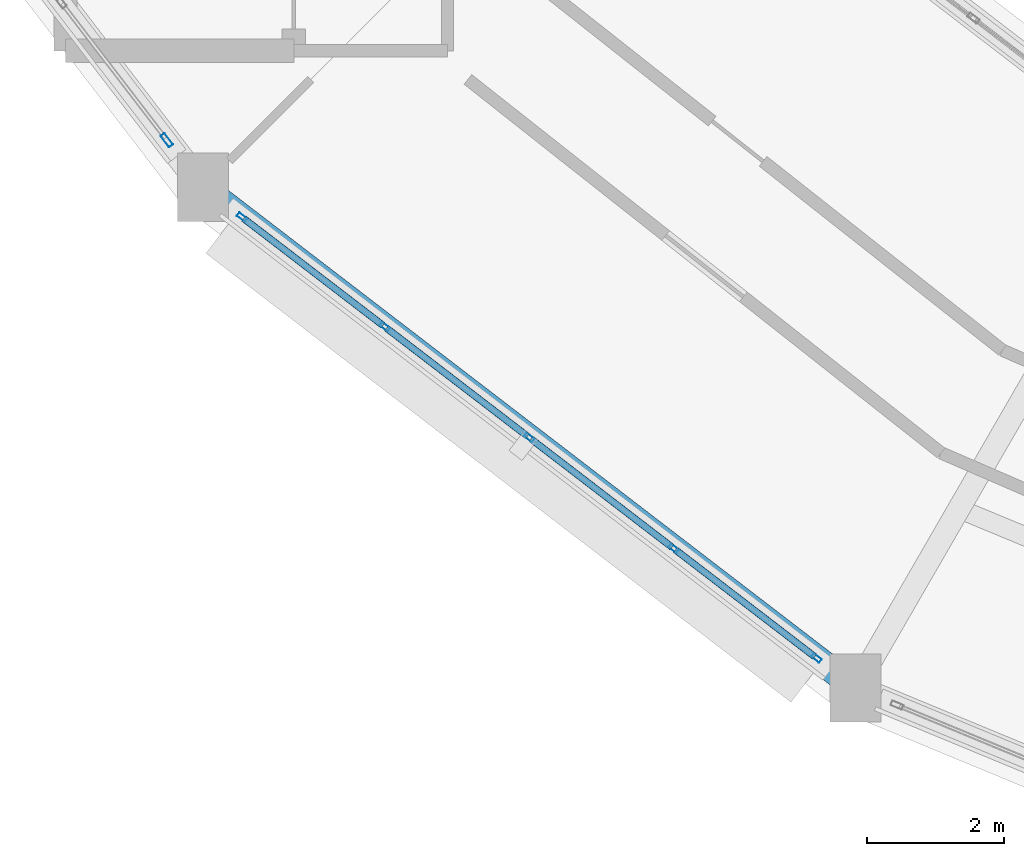
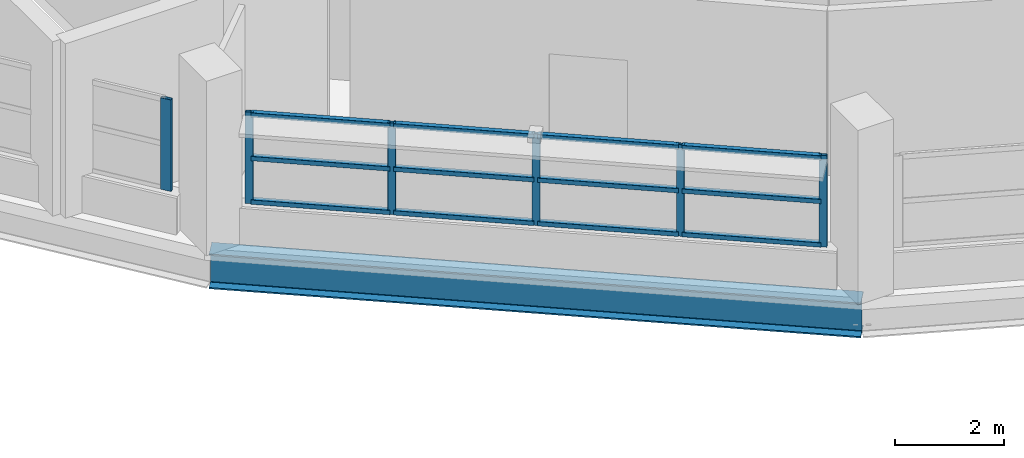
# One storey, part 5 of 53: 18 members, 1 beam, 2 elements without a shape of their own.
"""IFC4 building model written with IfcOpenShell, lengths in metres."""

from ifc_helpers import new_model, si_unit, direction, frame, origin, origin_2d, place, context, subcontext, project, spatial, hollow_rectangle, i_section, extrude, material, layer, layer_set, material_profile, profile_set, type_object, element, aggregate, save


model = new_model("IFC4")

# Units and contexts
model_context = context("Model", 3, precision=1e-05, world=origin(), true_north=direction((0.0, 1.0)))
body_context = subcontext(model_context, "Body", "Model", "MODEL_VIEW")
ifc_project = project(units=[si_unit("LENGTHUNIT", "METRE"), si_unit("AREAUNIT", "SQUARE_METRE"), si_unit("VOLUMEUNIT", "CUBIC_METRE"), si_unit("PLANEANGLEUNIT", "RADIAN"), si_unit("MASSUNIT", "GRAM", prefix="KILO")], contexts=[model_context])

# Site, building, storey
site_placement = place(None, origin())
site = spatial("IfcSite", under=ifc_project, at=site_placement, CompositionType="ELEMENT")
building_placement = place(site_placement, origin())
building = spatial("IfcBuilding", under=site, at=building_placement, Name="Vespera Passage Community Centre", CompositionType="ELEMENT")
storey_placement = place(building_placement, frame((0.0, 0.0, 20.39990234375)))
storey = spatial("IfcBuildingStorey", under=building, at=storey_placement, Name="L05", CompositionType="ELEMENT", Elevation=20.39990234375)

# Beam
ifc_material_1 = material(Name="Steel ASTM A992 Grade 50", Category="steel")
ifc_material_profile_1 = material_profile(ifc_material_1, i_section(OverallWidth=0.382080078125, OverallDepth=0.779296875, WebThickness=0.01806640625, FlangeThickness=0.030029296875, FilletRadius=0.0166015625, at=origin_2d()), Name="W30X191")
ifc_profile_set_1 = profile_set([ifc_material_profile_1], Name="Steel ASTM A992 Grade 50")
beam_type = type_object("IfcBeamType", Name="BM-SP-W30X191E", PredefinedType="SPANDREL", material=ifc_profile_set_1)
beam_placement = place(storey_placement, frame((45.40234375, 32.90234375, -0.649658203125), z_axis=(0.793351934501, -0.608763261066, 0.0), x_axis=(0.608763261066, 0.793351934501, 0.0)))
element("IfcBeam", 1, at=beam_placement, inside=storey, type_object=beam_type, Name="V4 L05 Outer Spandrel 15", PredefinedType="SPANDREL", context=body_context, shape_type="SweptSolid", body=[
    extrude(i_section(OverallWidth=0.382080078125, OverallDepth=0.779296875, WebThickness=0.01806640625, FlangeThickness=0.030029296875, FilletRadius=0.0166015625, at=origin_2d()), origin(), (0.0, 0.0, 1.0), 12.034423828125),
])

# Curtain wall, members
ifc_material_2 = material(Name="Anodized aluminium 6063-T6", Category="aluminium")
ifc_layer_1 = layer(ifc_material_2, 0.159912109375)
ifc_layer_set_1 = layer_set([ifc_layer_1], Name="Anodized aluminium 6063-T6")
curtain_wall_type_1 = type_object("IfcCurtainWallType", Name="CW-69E", PredefinedType="NOTDEFINED", material=ifc_layer_set_1)
curtain_wall_1_placement = place(storey_placement, origin())
curtain_wall_1 = element("IfcCurtainWall", 2, at=curtain_wall_1_placement, inside=storey, type_object=curtain_wall_type_1, Name="V4 L05 Outer Ribbon Curtain Wall 15", PredefinedType="NOTDEFINED")
ifc_material_3 = material(Name="Anodized aluminium 6063-T6", Category="aluminium")
ifc_material_profile_2 = material_profile(ifc_material_3, hollow_rectangle(XDim=0.06494140625, YDim=0.14990234375, WallThickness=0.00390625, InnerFilletRadius=0.001953125, OuterFilletRadius=0.00390625, at=origin_2d()), Name="ALU150X65X4")
ifc_profile_set_2 = profile_set([ifc_material_profile_2], Name="Anodized aluminium 6063-T6")
member_type_1 = type_object("IfcMemberType", Name="MB-CWM-150E", PredefinedType="MULLION", material=ifc_profile_set_2)
member_1_placement = place(storey_placement, frame((54.378662109375, 26.0146484375, 0.820068359375), z_axis=(0.0, 0.0, 1.0), x_axis=(-0.608771824991, -0.793345363065, 0.0)))
member_1 = element("IfcMember", 3, at=member_1_placement, type_object=member_type_1, Name="CW-69E mullion 1", PredefinedType="MULLION", context=body_context, shape_type="SweptSolid", body=[
    extrude(hollow_rectangle(XDim=0.06494140625, YDim=0.14990234375, WallThickness=0.00390625, InnerFilletRadius=0.001953125, OuterFilletRadius=0.00390625, at=origin_2d()), origin(), (0.0, 0.0, 1.0), 2.0458984375),
])
member_2_placement = place(storey_placement, frame((52.290283203125, 27.616943359375, 0.820068359375), z_axis=(0.0, 0.0, 1.0), x_axis=(-0.608771824991, -0.793345363065, 0.0)))
member_2 = element("IfcMember", 4, at=member_2_placement, type_object=member_type_1, Name="CW-69E mullion 2", PredefinedType="MULLION", context=body_context, shape_type="SweptSolid", body=[
    extrude(hollow_rectangle(XDim=0.06494140625, YDim=0.14990234375, WallThickness=0.00390625, InnerFilletRadius=0.001953125, OuterFilletRadius=0.00390625, at=origin_2d()), origin(), (0.0, 0.0, 1.0), 2.0458984375),
])
member_3_placement = place(storey_placement, frame((50.17626953125, 29.2392578125, 0.820068359375), z_axis=(0.0, 0.0, 1.0), x_axis=(-0.608771824991, -0.793345363065, 0.0)))
member_3 = element("IfcMember", 5, at=member_3_placement, type_object=member_type_1, Name="CW-69E mullion 3", PredefinedType="MULLION", context=body_context, shape_type="SweptSolid", body=[
    extrude(hollow_rectangle(XDim=0.06494140625, YDim=0.14990234375, WallThickness=0.00390625, InnerFilletRadius=0.001953125, OuterFilletRadius=0.00390625, at=origin_2d()), origin(), (0.0, 0.0, 1.0), 2.0458984375),
])
member_4_placement = place(storey_placement, frame((48.06201171875, 30.861572265625, 0.820068359375), z_axis=(0.0, 0.0, 1.0), x_axis=(-0.608771824991, -0.793345363065, 0.0)))
member_4 = element("IfcMember", 6, at=member_4_placement, type_object=member_type_1, Name="CW-69E mullion 4", PredefinedType="MULLION", context=body_context, shape_type="SweptSolid", body=[
    extrude(hollow_rectangle(XDim=0.06494140625, YDim=0.14990234375, WallThickness=0.00390625, InnerFilletRadius=0.001953125, OuterFilletRadius=0.00390625, at=origin_2d()), origin(), (0.0, 0.0, 1.0), 2.0458984375),
])
member_5_placement = place(storey_placement, frame((45.973876953125, 32.464111328125, 0.820068359375), z_axis=(0.0, 0.0, 1.0), x_axis=(-0.608771824991, -0.793345363065, 0.0)))
member_5 = element("IfcMember", 7, at=member_5_placement, type_object=member_type_1, Name="CW-69E mullion 5", PredefinedType="MULLION", context=body_context, shape_type="SweptSolid", body=[
    extrude(hollow_rectangle(XDim=0.06494140625, YDim=0.14990234375, WallThickness=0.00390625, InnerFilletRadius=0.001953125, OuterFilletRadius=0.00390625, at=origin_2d()), origin(), (0.0, 0.0, 1.0), 2.0458984375),
])

# Curtain wall, member
ifc_material_4 = material(Name="Anodized aluminium 6063-T6", Category="aluminium")
ifc_layer_2 = layer(ifc_material_4, 0.159912109375)
ifc_layer_set_2 = layer_set([ifc_layer_2], Name="Anodized aluminium 6063-T6")
curtain_wall_type_2 = type_object("IfcCurtainWallType", Name="CW-77E", PredefinedType="NOTDEFINED", material=ifc_layer_set_2)
curtain_wall_2_placement = place(storey_placement, origin())
curtain_wall_2 = element("IfcCurtainWall", 8, at=curtain_wall_2_placement, inside=storey, type_object=curtain_wall_type_2, Name="V4 L05 Outer Ribbon Curtain Wall 14", PredefinedType="NOTDEFINED")
ifc_material_5 = material(Name="Anodized aluminium 6063-T6", Category="aluminium")
ifc_material_profile_3 = material_profile(ifc_material_5, hollow_rectangle(XDim=0.074951171875, YDim=0.2099609375, WallThickness=0.0048828125, InnerFilletRadius=0.00244140625, OuterFilletRadius=0.0048828125, at=origin_2d()), Name="ALU210X75X5")
ifc_profile_set_3 = profile_set([ifc_material_profile_3], Name="Anodized aluminium 6063-T6")
member_type_2 = type_object("IfcMemberType", Name="MB-CWM-210E", PredefinedType="MULLION", material=ifc_profile_set_3)
member_6_placement = place(storey_placement, frame((44.873779296875, 33.591552734375, 0.820068359375), z_axis=(0.0, 0.0, 1.0), x_axis=(-0.793350257139, -0.608765447029, 0.0)))
member_6 = element("IfcMember", 9, at=member_6_placement, type_object=member_type_2, Name="CW-77E mullion 1", PredefinedType="MULLION", context=body_context, shape_type="SweptSolid", body=[
    extrude(hollow_rectangle(XDim=0.074951171875, YDim=0.2099609375, WallThickness=0.0048828125, InnerFilletRadius=0.00244140625, OuterFilletRadius=0.0048828125, at=origin_2d()), origin(), (0.0, 0.0, 1.0), 2.0458984375),
])
aggregate(curtain_wall_2, [member_6])

# Member
ifc_material_6 = material(Name="Anodized aluminium 6063-T6", Category="aluminium")
ifc_material_profile_4 = material_profile(ifc_material_6, hollow_rectangle(XDim=0.10009765625, YDim=0.10009765625, WallThickness=0.00390625, InnerFilletRadius=0.001953125, OuterFilletRadius=0.00390625, at=origin_2d()), Name="ALU100X100X4")
ifc_profile_set_4 = profile_set([ifc_material_profile_4], Name="Anodized aluminium 6063-T6")
member_type_3 = type_object("IfcMemberType", Name="MB-CWT-100E", PredefinedType="USERDEFINED", material=ifc_profile_set_4)
member_7_placement = place(storey_placement, frame((54.352783203125, 26.034423828125, 0.8701171875), z_axis=(-0.793355257183, 0.608758930859, 0.0), x_axis=(-0.608758930859, -0.793355257183, 0.0)))
member_7 = element("IfcMember", 10, at=member_7_placement, type_object=member_type_3, Name="CW-69E transom 1.1", ObjectType="TRANSOM", PredefinedType="USERDEFINED", context=body_context, shape_type="SweptSolid", body=[
    extrude(hollow_rectangle(XDim=0.10009765625, YDim=0.10009765625, WallThickness=0.00390625, InnerFilletRadius=0.001953125, OuterFilletRadius=0.00390625, at=origin_2d()), origin(), (0.0, 0.0, 1.0), 2.567138671875),
])

member_8_placement = place(storey_placement, frame((54.352783203125, 26.034423828125, 1.843017578125), z_axis=(-0.793355257183, 0.608758930859, 0.0), x_axis=(-0.608758930859, -0.793355257183, 0.0)))
member_8 = element("IfcMember", 11, at=member_8_placement, type_object=member_type_3, Name="CW-69E transom 1.2", ObjectType="TRANSOM", PredefinedType="USERDEFINED", context=body_context, shape_type="SweptSolid", body=[
    extrude(hollow_rectangle(XDim=0.10009765625, YDim=0.10009765625, WallThickness=0.00390625, InnerFilletRadius=0.001953125, OuterFilletRadius=0.00390625, at=origin_2d()), origin(), (0.0, 0.0, 1.0), 2.567138671875),
])

member_9_placement = place(storey_placement, frame((54.352783203125, 26.034423828125, 2.81591796875), z_axis=(-0.793355257183, 0.608758930859, 0.0), x_axis=(-0.608758930859, -0.793355257183, 0.0)))
member_9 = element("IfcMember", 12, at=member_9_placement, type_object=member_type_3, Name="CW-69E transom 1.3", ObjectType="TRANSOM", PredefinedType="USERDEFINED", context=body_context, shape_type="SweptSolid", body=[
    extrude(hollow_rectangle(XDim=0.10009765625, YDim=0.10009765625, WallThickness=0.00390625, InnerFilletRadius=0.001953125, OuterFilletRadius=0.00390625, at=origin_2d()), origin(), (0.0, 0.0, 1.0), 2.567138671875),
])

member_10_placement = place(storey_placement, frame((52.264404296875, 27.63671875, 0.8701171875), z_axis=(-0.793325147434, 0.608798168894, 0.0), x_axis=(-0.608798168894, -0.793325147434, 0.0)))
member_10 = element("IfcMember", 13, at=member_10_placement, type_object=member_type_3, Name="CW-69E transom 2.1", ObjectType="TRANSOM", PredefinedType="USERDEFINED", context=body_context, shape_type="SweptSolid", body=[
    extrude(hollow_rectangle(XDim=0.10009765625, YDim=0.10009765625, WallThickness=0.00390625, InnerFilletRadius=0.001953125, OuterFilletRadius=0.00390625, at=origin_2d()), origin(), (0.0, 0.0, 1.0), 2.599853515625),
])

member_11_placement = place(storey_placement, frame((52.264404296875, 27.63671875, 1.843017578125), z_axis=(-0.793325147434, 0.608798168894, 0.0), x_axis=(-0.608798168894, -0.793325147434, 0.0)))
member_11 = element("IfcMember", 14, at=member_11_placement, type_object=member_type_3, Name="CW-69E transom 2.2", ObjectType="TRANSOM", PredefinedType="USERDEFINED", context=body_context, shape_type="SweptSolid", body=[
    extrude(hollow_rectangle(XDim=0.10009765625, YDim=0.10009765625, WallThickness=0.00390625, InnerFilletRadius=0.001953125, OuterFilletRadius=0.00390625, at=origin_2d()), origin(), (0.0, 0.0, 1.0), 2.599853515625),
])

member_12_placement = place(storey_placement, frame((52.264404296875, 27.63671875, 2.81591796875), z_axis=(-0.793325147434, 0.608798168894, 0.0), x_axis=(-0.608798168894, -0.793325147434, 0.0)))
member_12 = element("IfcMember", 15, at=member_12_placement, type_object=member_type_3, Name="CW-69E transom 2.3", ObjectType="TRANSOM", PredefinedType="USERDEFINED", context=body_context, shape_type="SweptSolid", body=[
    extrude(hollow_rectangle(XDim=0.10009765625, YDim=0.10009765625, WallThickness=0.00390625, InnerFilletRadius=0.001953125, OuterFilletRadius=0.00390625, at=origin_2d()), origin(), (0.0, 0.0, 1.0), 2.599853515625),
])

member_13_placement = place(storey_placement, frame((50.150390625, 29.259033203125, 0.8701171875), z_axis=(-0.793325147434, 0.608798168894, 0.0), x_axis=(-0.608798168894, -0.793325147434, 0.0)))
member_13 = element("IfcMember", 16, at=member_13_placement, type_object=member_type_3, Name="CW-69E transom 3.1", ObjectType="TRANSOM", PredefinedType="USERDEFINED", context=body_context, shape_type="SweptSolid", body=[
    extrude(hollow_rectangle(XDim=0.10009765625, YDim=0.10009765625, WallThickness=0.00390625, InnerFilletRadius=0.001953125, OuterFilletRadius=0.00390625, at=origin_2d()), origin(), (0.0, 0.0, 1.0), 2.599853515625),
])

member_14_placement = place(storey_placement, frame((50.150390625, 29.259033203125, 1.843017578125), z_axis=(-0.793325147434, 0.608798168894, 0.0), x_axis=(-0.608798168894, -0.793325147434, 0.0)))
member_14 = element("IfcMember", 17, at=member_14_placement, type_object=member_type_3, Name="CW-69E transom 3.2", ObjectType="TRANSOM", PredefinedType="USERDEFINED", context=body_context, shape_type="SweptSolid", body=[
    extrude(hollow_rectangle(XDim=0.10009765625, YDim=0.10009765625, WallThickness=0.00390625, InnerFilletRadius=0.001953125, OuterFilletRadius=0.00390625, at=origin_2d()), origin(), (0.0, 0.0, 1.0), 2.599853515625),
])

member_15_placement = place(storey_placement, frame((50.150390625, 29.259033203125, 2.81591796875), z_axis=(-0.793325147434, 0.608798168894, 0.0), x_axis=(-0.608798168894, -0.793325147434, 0.0)))
member_15 = element("IfcMember", 18, at=member_15_placement, type_object=member_type_3, Name="CW-69E transom 3.3", ObjectType="TRANSOM", PredefinedType="USERDEFINED", context=body_context, shape_type="SweptSolid", body=[
    extrude(hollow_rectangle(XDim=0.10009765625, YDim=0.10009765625, WallThickness=0.00390625, InnerFilletRadius=0.001953125, OuterFilletRadius=0.00390625, at=origin_2d()), origin(), (0.0, 0.0, 1.0), 2.599853515625),
])

member_16_placement = place(storey_placement, frame((48.036376953125, 30.88134765625, 0.8701171875), z_axis=(-0.793344571237, 0.608772856893, 0.0), x_axis=(-0.608772856893, -0.793344571237, 0.0)))
member_16 = element("IfcMember", 19, at=member_16_placement, type_object=member_type_3, Name="CW-69E transom 4.1", ObjectType="TRANSOM", PredefinedType="USERDEFINED", context=body_context, shape_type="SweptSolid", body=[
    extrude(hollow_rectangle(XDim=0.10009765625, YDim=0.10009765625, WallThickness=0.00390625, InnerFilletRadius=0.001953125, OuterFilletRadius=0.00390625, at=origin_2d()), origin(), (0.0, 0.0, 1.0), 2.5673828125),
])

member_17_placement = place(storey_placement, frame((48.036376953125, 30.88134765625, 1.843017578125), z_axis=(-0.793344571237, 0.608772856893, 0.0), x_axis=(-0.608772856893, -0.793344571237, 0.0)))
member_17 = element("IfcMember", 20, at=member_17_placement, type_object=member_type_3, Name="CW-69E transom 4.2", ObjectType="TRANSOM", PredefinedType="USERDEFINED", context=body_context, shape_type="SweptSolid", body=[
    extrude(hollow_rectangle(XDim=0.10009765625, YDim=0.10009765625, WallThickness=0.00390625, InnerFilletRadius=0.001953125, OuterFilletRadius=0.00390625, at=origin_2d()), origin(), (0.0, 0.0, 1.0), 2.5673828125),
])

member_18_placement = place(storey_placement, frame((48.036376953125, 30.88134765625, 2.81591796875), z_axis=(-0.793344571237, 0.608772856893, 0.0), x_axis=(-0.608772856893, -0.793344571237, 0.0)))
member_18 = element("IfcMember", 21, at=member_18_placement, type_object=member_type_3, Name="CW-69E transom 4.3", ObjectType="TRANSOM", PredefinedType="USERDEFINED", context=body_context, shape_type="SweptSolid", body=[
    extrude(hollow_rectangle(XDim=0.10009765625, YDim=0.10009765625, WallThickness=0.00390625, InnerFilletRadius=0.001953125, OuterFilletRadius=0.00390625, at=origin_2d()), origin(), (0.0, 0.0, 1.0), 2.5673828125),
])

aggregate(curtain_wall_1, [member_1, member_2, member_3, member_4, member_5, member_7, member_8, member_9, member_10, member_11, member_12, member_13, member_14, member_15, member_16, member_17, member_18])

save(model, "model.ifc")
